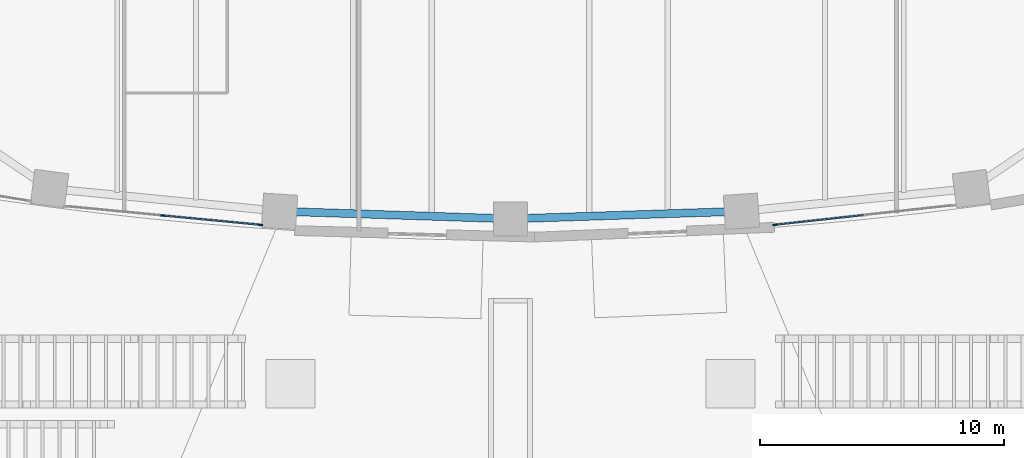
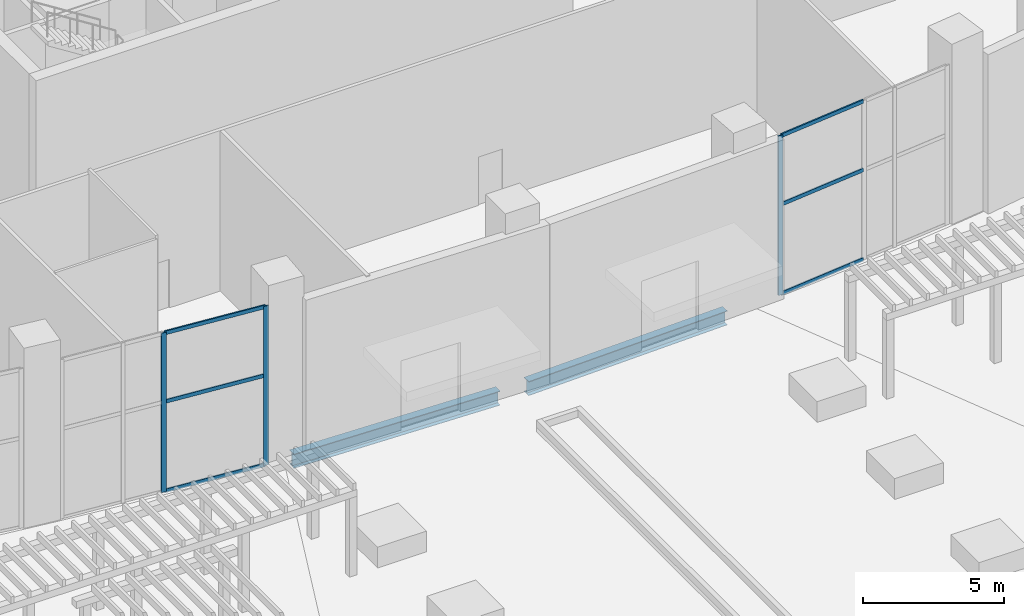
# One storey, part 2 of 20: 9 members, 2 beams, 2 elements without a shape of their own.
"""IFC4 building model written with IfcOpenShell, lengths in metres."""

import ifcopenshell
import ifcopenshell.guid

model = None  # the IFC model being written
_history = None  # IfcOwnerHistory: only IFC2X3 demands one
_inside = {}  # id of a spatial element -> (the spatial element, [elements in it])
_under = {}  # id of a project, library or spatial element -> (it, [spatial elements below it])
_declared = {}  # id of a project -> (the project, [libraries it declares])
_typed = {}  # id of a type object -> (the type object, [elements of that type])
_made_of = {}  # id of a material, layer set ... -> (it, [elements and type objects made of it])


def new_model(schema):
    """Start an empty IFC model of exactly this schema.

    Asked for "IFC4X3", IfcOpenShell would pick the latest addendum, in which some entities
    have other attributes; the version numbers below select the first issue.
    IFC2X3 requires an IfcOwnerHistory on every rooted entity: one is made here for all.
    """
    global model, _history
    if schema == "IFC4X3":
        model = ifcopenshell.file(schema_version=(4, 3, 0, 0))
    else:
        model = ifcopenshell.file(schema=schema)
    _inside.clear()
    _under.clear()
    _declared.clear()
    _typed.clear()
    _made_of.clear()
    _history = None
    if model.schema == "IFC2X3":
        org = make("IfcOrganization", Name="unknown")
        user = make(
            "IfcPersonAndOrganization",
            ThePerson=make("IfcPerson", FamilyName="unknown"),
            TheOrganization=org,
        )
        app = make(
            "IfcApplication",
            ApplicationDeveloper=org,
            Version="unknown",
            ApplicationFullName="unknown",
            ApplicationIdentifier="unknown",
        )
        _history = make(
            "IfcOwnerHistory",
            OwningUser=user,
            OwningApplication=app,
            ChangeAction="ADDED",
            CreationDate=0,
        )
    return model


def make(cls, **values):
    """One entity of the class cls with the attributes given. An attribute that is None is left unset."""
    return model.create_entity(
        cls, **{name: value for name, value in values.items() if value is not None}
    )


def rooted(cls, **values):
    """An entity with a GlobalId (a new one), such as an element, a storey or a relation."""
    return make(cls, GlobalId=ifcopenshell.guid.new(), OwnerHistory=_history, **values)


def si_unit(unit_type, name, prefix=None):
    """IfcSIUnit, for example si_unit("LENGTHUNIT", "METRE", prefix="MILLI")."""
    return make("IfcSIUnit", UnitType=unit_type, Prefix=prefix, Name=name)


def assignment(units):
    """IfcUnitAssignment: the units of a project."""
    return None if units is None else make("IfcUnitAssignment", Units=units)


def point(xyz):
    """IfcCartesianPoint."""
    return None if xyz is None else make("IfcCartesianPoint", Coordinates=xyz)


def direction(xyz):
    """IfcDirection."""
    return None if xyz is None else make("IfcDirection", DirectionRatios=xyz)


def frame(location, z_axis=None, x_axis=None):
    """IfcAxis2Placement3D, a coordinate frame: its origin and axes. An axis left out is left unset."""
    return make(
        "IfcAxis2Placement3D",
        Location=point(location),
        Axis=direction(z_axis),
        RefDirection=direction(x_axis),
    )


def frame_2d(location, x_axis=None):
    """IfcAxis2Placement2D, a coordinate frame in the plane: its origin and x axis."""
    return make(
        "IfcAxis2Placement2D", Location=point(location), RefDirection=direction(x_axis)
    )


def origin():
    """The frame at (0, 0, 0) with its axes left unset."""
    return frame((0.0, 0.0, 0.0))


def origin_2d():
    """The frame at (0, 0) in the plane with its x axis left unset."""
    return frame_2d((0.0, 0.0))


def place(relative_to, where):
    """IfcLocalPlacement: puts the frame where relative to a parent placement (None: the world)."""
    return make(
        "IfcLocalPlacement", PlacementRelTo=relative_to, RelativePlacement=where
    )


def context(
    kind, dimensions, precision=None, world=None, true_north=None, identifier=None
):
    """IfcGeometricRepresentationContext, for example the 3D "Model" context."""
    return make(
        "IfcGeometricRepresentationContext",
        ContextIdentifier=identifier,
        ContextType=kind,
        CoordinateSpaceDimension=dimensions,
        Precision=precision,
        WorldCoordinateSystem=world,
        TrueNorth=true_north,
    )


def subcontext(parent, identifier, kind, view, scale=None):
    """IfcGeometricRepresentationSubContext, for example "Body" below "Model"."""
    return make(
        "IfcGeometricRepresentationSubContext",
        ContextIdentifier=identifier,
        ContextType=kind,
        ParentContext=parent,
        TargetScale=scale,
        TargetView=view,
    )


def project(units=None, contexts=None):
    """IfcProject with its units and contexts."""
    return rooted(
        "IfcProject",
        Name="project",
        RepresentationContexts=contexts,
        UnitsInContext=assignment(units),
    )


def spatial(cls, under=None, at=None, **own):
    """A site, building, storey or space (cls), placed at a placement, below another one or the project."""
    s = rooted(cls, ObjectPlacement=at, **own)
    if under is not None:
        _under.setdefault(under.id(), (under, []))[1].append(s)
    return s


def profile(cls, at=None, kind="AREA", **sizes):
    """A parametric profile (cls). Its sizes go by their IFC names, for example OverallWidth=200.0."""
    return make(cls, ProfileType=kind, Position=at, **sizes)


def rectangle(**sizes):
    """IfcRectangleProfileDef."""
    return profile("IfcRectangleProfileDef", **sizes)


def i_section(**sizes):
    """IfcIShapeProfileDef."""
    return profile("IfcIShapeProfileDef", **sizes)


def extrude(swept, where, along, depth):
    """IfcExtrudedAreaSolid: the profile swept, set in the frame where, extruded along a direction by depth."""
    return make(
        "IfcExtrudedAreaSolid",
        SweptArea=swept,
        Position=where,
        ExtrudedDirection=direction(along),
        Depth=depth,
    )


def shape(context_of_items, identifier, shape_type, items):
    """IfcShapeRepresentation: the items that make up one representation, for example the "Body"."""
    return make(
        "IfcShapeRepresentation",
        ContextOfItems=context_of_items,
        RepresentationIdentifier=identifier,
        RepresentationType=shape_type,
        Items=items,
    )


def material(Name=None, Category=None):
    """IfcMaterial."""
    return make("IfcMaterial", Name=Name, Category=Category)


def layer(
    of_material, thickness, ventilated=None, Name=None, Category=None, Priority=None
):
    """IfcMaterialLayer: one layer of a wall or slab, of a material (None: an air gap)."""
    return make(
        "IfcMaterialLayer",
        Material=of_material,
        LayerThickness=thickness,
        IsVentilated=ventilated,
        Name=Name,
        Category=Category,
        Priority=Priority,
    )


def layer_set(layers, Name=None):
    """IfcMaterialLayerSet."""
    return make("IfcMaterialLayerSet", MaterialLayers=layers, LayerSetName=Name)


def material_profile(
    of_material, cross_section, Name=None, Category=None, Priority=None
):
    """IfcMaterialProfile: a cross section and its material."""
    return make(
        "IfcMaterialProfile",
        Name=Name,
        Material=of_material,
        Profile=cross_section,
        Priority=Priority,
        Category=Category,
    )


def profile_set(profiles, Name=None, composite=None):
    """IfcMaterialProfileSet."""
    return make(
        "IfcMaterialProfileSet",
        Name=Name,
        MaterialProfiles=profiles,
        CompositeProfile=composite,
    )


def made_of(thing, what):
    """Note that an element or type object is made of a material, layer set ...; save() writes the relation."""
    if what is not None:
        _made_of.setdefault(what.id(), (what, []))[1].append(thing)
    return thing


def type_object(cls, material=None, **own):
    """A type object (cls), such as IfcWallType, which elements share."""
    return made_of(rooted(cls, **own), material)


def element(
    cls,
    number,
    at=None,
    inside=None,
    cuts=None,
    type_object=None,
    material=None,
    context=None,
    identifier="Body",
    shape_type=None,
    held_by="IfcProductDefinitionShape",
    body=None,
    shapes=None,
    **own,
):
    """One element of the class cls, such as IfcWall. Its Tag is "e" and its number.

    at: its placement. inside: the storey or other place that contains it. cuts: it is an
    opening in that element (IfcRelVoidsElement). A single representation is given by context,
    identifier, shape_type and body (its items); several are given by shapes. held_by: the class
    of the entity that holds the representations. save() writes the other relations.
    """
    e = rooted(cls, Tag="e%d" % number, ObjectPlacement=at, **own)
    if body is not None:
        shapes = [shape(context, identifier, shape_type, body)]
    if shapes is not None:
        e.Representation = make(held_by, Representations=shapes)
    if inside is not None:
        _inside.setdefault(inside.id(), (inside, []))[1].append(e)
    if cuts is not None:
        rooted(
            "IfcRelVoidsElement", RelatingBuildingElement=cuts, RelatedOpeningElement=e
        )
    if type_object is not None:
        _typed.setdefault(type_object.id(), (type_object, []))[1].append(e)
    return made_of(e, material)


def aggregate(whole, parts):
    """IfcRelAggregates: a whole, such as a stair, and the parts it consists of."""
    return rooted("IfcRelAggregates", RelatingObject=whole, RelatedObjects=parts)


def save(model, path):
    """Write the relations noted so far, then the file.

    IfcRelAggregates (storeys below a building ...), IfcRelContainedInSpatialStructure (elements
    in a storey), IfcRelDefinesByType, IfcRelAssociatesMaterial and IfcRelDeclares: one each for
    every whole, place, type object, material and project.
    """
    for whole, parts in _under.values():
        aggregate(whole, parts)
    for where, things in _inside.values():
        rooted(
            "IfcRelContainedInSpatialStructure",
            RelatedElements=things,
            RelatingStructure=where,
        )
    for kind, things in _typed.values():
        rooted("IfcRelDefinesByType", RelatedObjects=things, RelatingType=kind)
    for what, things in _made_of.values():
        rooted("IfcRelAssociatesMaterial", RelatedObjects=things, RelatingMaterial=what)
    for by, libraries in _declared.values():
        rooted("IfcRelDeclares", RelatingContext=by, RelatedDefinitions=libraries)
    model.write(path)


model = new_model("IFC4")

# Units and contexts
model_context = context("Model", 3, precision=1e-05, world=origin(), true_north=direction((0.0, 1.0)))
body_context = subcontext(model_context, "Body", "Model", "MODEL_VIEW")
ifc_project = project(units=[si_unit("LENGTHUNIT", "METRE"), si_unit("AREAUNIT", "SQUARE_METRE"), si_unit("VOLUMEUNIT", "CUBIC_METRE"), si_unit("PLANEANGLEUNIT", "RADIAN"), si_unit("MASSUNIT", "GRAM", prefix="KILO")], contexts=[model_context])

# Site, building, storey
site_placement = place(None, origin())
site = spatial("IfcSite", under=ifc_project, at=site_placement, CompositionType="ELEMENT")
building_placement = place(site_placement, origin())
building = spatial("IfcBuilding", under=site, at=building_placement, Name="Sierra Prisma Convention Tower", CompositionType="ELEMENT")
storey_placement = place(building_placement, frame((0.0, 0.0, 9.0)))
storey = spatial("IfcBuildingStorey", under=building, at=storey_placement, Name="L01", CompositionType="ELEMENT", Elevation=9.0)

# Curtain wall, members
ifc_material_1 = material(Name="Aluminium, bronze anodised", Category="aluminium")
ifc_layer = layer(ifc_material_1, 0.199951171875)
ifc_layer_set = layer_set([ifc_layer], Name="CW-3 curtain wall")
curtain_wall_type = type_object("IfcCurtainWallType", Name="CW-3 curtain wall", PredefinedType="NOTDEFINED", material=ifc_layer_set)
curtain_wall_1_placement = place(storey_placement, origin())
curtain_wall_1 = element("IfcCurtainWall", 1, at=curtain_wall_1_placement, inside=storey, type_object=curtain_wall_type, Name="CW-3 curtain wall", PredefinedType="NOTDEFINED")
ifc_material_2 = material(Name="Aluminium, bronze anodised", Category="aluminium")
ifc_material_profile_1 = material_profile(ifc_material_2, rectangle(XDim=0.06005859375, YDim=0.199951171875, at=origin_2d()), Name="CW-3 mullion 60 x 200")
ifc_profile_set_1 = profile_set([ifc_material_profile_1], Name="Aluminium, bronze anodised")
member_type_1 = type_object("IfcMemberType", Name="CW-3 mullion 60 x 200", PredefinedType="MULLION", material=ifc_profile_set_1)
member_1_placement = place(storey_placement, frame((-10.239990234375, -22.99560546875, 0.0), z_axis=(0.0, 0.0, 1.0), x_axis=(-0.095074832848, -0.99547012821, 0.0)))
member_1 = element("IfcMember", 2, at=member_1_placement, type_object=member_type_1, Name="CW-3 mullion 1", PredefinedType="MULLION", context=body_context, shape_type="SweptSolid", body=[
    extrude(rectangle(XDim=0.06005859375, YDim=0.199951171875, at=origin_2d()), origin(), (0.0, 0.0, 1.0), 6.89990234375),
])
member_2_placement = place(storey_placement, frame((-14.2177734375, -22.61572265625, 0.0), z_axis=(0.0, 0.0, 1.0), x_axis=(-0.095074832848, -0.99547012821, 0.0)))
member_2 = element("IfcMember", 3, at=member_2_placement, type_object=member_type_1, Name="CW-3 mullion 2", PredefinedType="MULLION", context=body_context, shape_type="SweptSolid", body=[
    extrude(rectangle(XDim=0.06005859375, YDim=0.199951171875, at=origin_2d()), origin(), (0.0, 0.0, 1.0), 6.89990234375),
])

# Curtain wall, member
curtain_wall_2_placement = place(storey_placement, origin())
curtain_wall_2 = element("IfcCurtainWall", 4, at=curtain_wall_2_placement, inside=storey, type_object=curtain_wall_type, Name="CW-3 curtain wall", PredefinedType="NOTDEFINED")
member_3_placement = place(storey_placement, frame((10.830078125, -22.992431640625, 0.0), z_axis=(0.0, 0.0, 1.0), x_axis=(0.10860666578, -0.994084801286, 0.0)))
member_3 = element("IfcMember", 5, at=member_3_placement, type_object=member_type_1, Name="CW-3 mullion 3", PredefinedType="MULLION", context=body_context, shape_type="SweptSolid", body=[
    extrude(rectangle(XDim=0.06005859375, YDim=0.199951171875, at=origin_2d()), origin(), (0.0, 0.0, 1.0), 6.89990234375),
])

# Member
ifc_material_3 = material(Name="Aluminium, bronze anodised", Category="aluminium")
ifc_material_profile_2 = material_profile(ifc_material_3, rectangle(XDim=0.06005859375, YDim=0.159912109375, at=origin_2d()), Name="CW-3 transom 60 x 160")
ifc_profile_set_2 = profile_set([ifc_material_profile_2], Name="Aluminium, bronze anodised")
member_type_2 = type_object("IfcMemberType", Name="CW-3 transom 60 x 160", PredefinedType="USERDEFINED", material=ifc_profile_set_2)
member_4_placement = place(storey_placement, frame((-10.27001953125, -22.99267578125, 0.030029296875), z_axis=(-0.995473699347, 0.095037434249, 0.0), x_axis=(-0.095037434249, -0.995473699347, 0.0)))
member_4 = element("IfcMember", 6, at=member_4_placement, type_object=member_type_2, Name="CW-3 transom 1.1", ObjectType="TRANSOM", PredefinedType="USERDEFINED", context=body_context, shape_type="SweptSolid", body=[
    extrude(rectangle(XDim=0.06005859375, YDim=0.159912109375, at=origin_2d()), origin(), (0.0, 0.0, 1.0), 3.935546875),
])

member_5_placement = place(storey_placement, frame((-10.27001953125, -22.99267578125, 3.89990234375), z_axis=(-0.995473699347, 0.095037434249, 0.0), x_axis=(-0.095037434249, -0.995473699347, 0.0)))
member_5 = element("IfcMember", 7, at=member_5_placement, type_object=member_type_2, Name="CW-3 transom 1.2", ObjectType="TRANSOM", PredefinedType="USERDEFINED", context=body_context, shape_type="SweptSolid", body=[
    extrude(rectangle(XDim=0.06005859375, YDim=0.159912109375, at=origin_2d()), origin(), (0.0, 0.0, 1.0), 3.935546875),
])

member_6_placement = place(storey_placement, frame((-10.27001953125, -22.99267578125, 6.8701171875), z_axis=(-0.995473699347, 0.095037434249, 0.0), x_axis=(-0.095037434249, -0.995473699347, 0.0)))
member_6 = element("IfcMember", 8, at=member_6_placement, type_object=member_type_2, Name="CW-3 transom 1.3", ObjectType="TRANSOM", PredefinedType="USERDEFINED", context=body_context, shape_type="SweptSolid", body=[
    extrude(rectangle(XDim=0.06005859375, YDim=0.159912109375, at=origin_2d()), origin(), (0.0, 0.0, 1.0), 3.935546875),
])

aggregate(curtain_wall_1, [member_1, member_2, member_4, member_5, member_6])

member_7_placement = place(storey_placement, frame((14.440185546875, -22.59814453125, 0.030029296875), z_axis=(-0.994086221354, -0.108593667004, 0.0), x_axis=(0.108593667004, -0.994086221354, 0.0)))
member_7 = element("IfcMember", 9, at=member_7_placement, type_object=member_type_2, Name="CW-3 transom 2.1", ObjectType="TRANSOM", PredefinedType="USERDEFINED", context=body_context, shape_type="SweptSolid", body=[
    extrude(rectangle(XDim=0.06005859375, YDim=0.159912109375, at=origin_2d()), origin(), (0.0, 0.0, 1.0), 3.6015625),
])

member_8_placement = place(storey_placement, frame((14.440185546875, -22.59814453125, 3.89990234375), z_axis=(-0.994086221354, -0.108593667004, 0.0), x_axis=(0.108593667004, -0.994086221354, 0.0)))
member_8 = element("IfcMember", 10, at=member_8_placement, type_object=member_type_2, Name="CW-3 transom 2.2", ObjectType="TRANSOM", PredefinedType="USERDEFINED", context=body_context, shape_type="SweptSolid", body=[
    extrude(rectangle(XDim=0.06005859375, YDim=0.159912109375, at=origin_2d()), origin(), (0.0, 0.0, 1.0), 3.6015625),
])

member_9_placement = place(storey_placement, frame((14.440185546875, -22.59814453125, 6.8701171875), z_axis=(-0.994086221354, -0.108593667004, 0.0), x_axis=(0.108593667004, -0.994086221354, 0.0)))
member_9 = element("IfcMember", 11, at=member_9_placement, type_object=member_type_2, Name="CW-3 transom 2.3", ObjectType="TRANSOM", PredefinedType="USERDEFINED", context=body_context, shape_type="SweptSolid", body=[
    extrude(rectangle(XDim=0.06005859375, YDim=0.159912109375, at=origin_2d()), origin(), (0.0, 0.0, 1.0), 3.6015625),
])

aggregate(curtain_wall_2, [member_3, member_7, member_8, member_9])

# Beams
ifc_material_4 = material(Name="Steel ASTM A992 Gr 50", Category="steel")
ifc_material_profile_3 = material_profile(ifc_material_4, i_section(OverallWidth=0.324951171875, OverallDepth=0.615966796875, WebThickness=0.013916015625, FlangeThickness=0.021484375, at=origin_2d()), Name="W610x174")
ifc_profile_set_3 = profile_set([ifc_material_profile_3], Name="Steel ASTM A992 Gr 50")
beam_type = type_object("IfcBeamType", Name="Spandrel beam W610x174", PredefinedType="BEAM", material=ifc_profile_set_3)
for number, where, z_axis, x_axis, name in (
    (12, (-8.870361328125, -22.458251953125, -0.55810546875), (0.999459413184, -0.032876760742, 0.0), (0.032876760742, 0.999459413184, 0.0), "Spandrel L01-03"),
    (13, (0.580078125, -22.73095703125, -0.55810546875), (0.999459413184, 0.032876760742, 0.0), (-0.032876760742, 0.999459413184, 0.0), "Spandrel L01-04"),
):
    element("IfcBeam", number, at=place(storey_placement, frame(where, z_axis=z_axis, x_axis=x_axis)), inside=storey, type_object=beam_type, Name=name, PredefinedType="BEAM", context=body_context, shape_type="SweptSolid", body=[
        extrude(i_section(OverallWidth=0.324951171875, OverallDepth=0.615966796875, WebThickness=0.013916015625, FlangeThickness=0.021484375, at=origin_2d()), origin(), (0.0, 0.0, 1.0), 8.294677734375),
    ])

save(model, "model.ifc")
